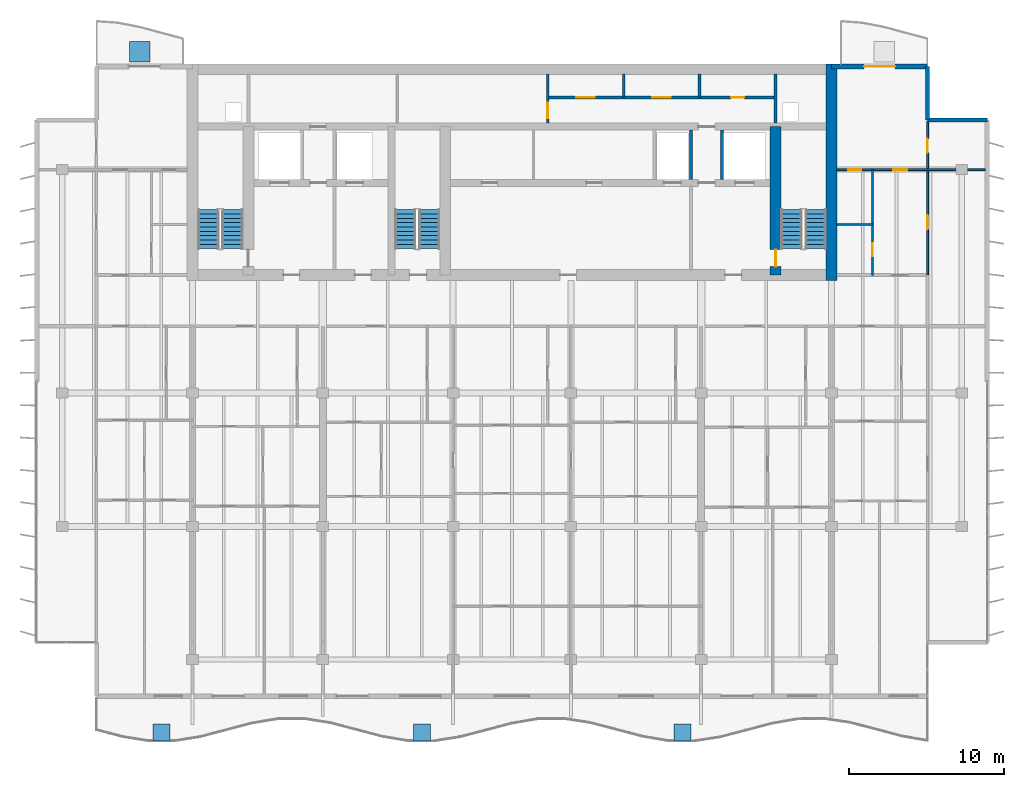
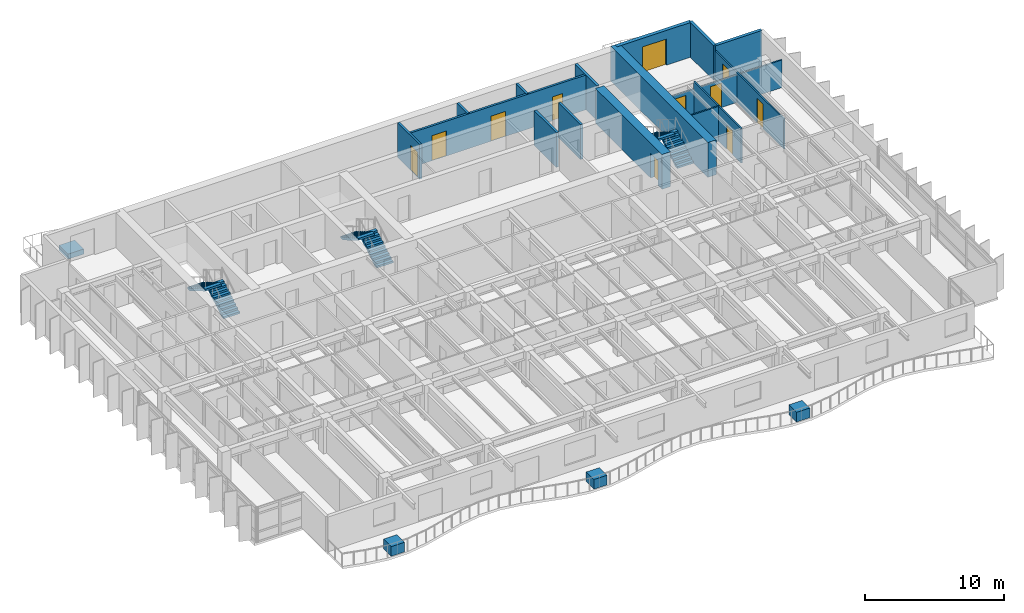
# One storey, part 11 of 17: 16 walls, 11 doors, 6 stair flights, 4 discrete accessories, 11 openings, 3 elements without a shape of their own.
"""IFC4 building model written with IfcOpenShell, lengths in metres."""

from ifc_helpers import new_model, si_unit, direction, frame, frame_2d, origin, origin_2d, place, context, subcontext, project, spatial, polyline, rectangle, outline, extrude, material, layer, layer_set, type_object, element, fill, aggregate, save


model = new_model("IFC4")

# Units and contexts
model_context = context("Model", 3, precision=1e-05, world=origin(), true_north=direction((0.0, 1.0)))
body_context = subcontext(model_context, "Body", "Model", "MODEL_VIEW")
ifc_project = project(units=[si_unit("LENGTHUNIT", "METRE"), si_unit("AREAUNIT", "SQUARE_METRE"), si_unit("VOLUMEUNIT", "CUBIC_METRE"), si_unit("PLANEANGLEUNIT", "RADIAN"), si_unit("MASSUNIT", "GRAM", prefix="KILO")], contexts=[model_context])

# Site, building, storey
site_placement = place(None, origin())
site = spatial("IfcSite", under=ifc_project, at=site_placement, CompositionType="ELEMENT")
building_placement = place(site_placement, origin())
building = spatial("IfcBuilding", under=site, at=building_placement, Name="Caelmar Bay Residences", CompositionType="ELEMENT")
storey_placement = place(building_placement, frame((0.0, 0.0, 246.300048828125)))
storey = spatial("IfcBuildingStorey", under=building, at=storey_placement, Name="L69", CompositionType="ELEMENT", Elevation=246.300048828125)

# Wall
ifc_material_1 = material(Name="Concrete f'c 55 MPa (8,000 psi)", Category="concrete")
ifc_layer_1 = layer(ifc_material_1, 0.699951171875)
ifc_layer_set_1 = layer_set([ifc_layer_1], Name="Concrete f'c 55 MPa (8,000 psi)")
wall_type_1 = type_object("IfcWallType", Name="SW-COR-700", PredefinedType="SHEAR", material=ifc_layer_set_1)
wall_1_placement = place(storey_placement, frame((59.5, 36.64990234375, 0.0), z_axis=(0.0, 0.0, 1.0), x_axis=(0.0, 1.0, 0.0)))
element("IfcWall", 1, at=wall_1_placement, inside=storey, type_object=wall_type_1, Name="L69 Rear Core East Shear Wall", PredefinedType="SHEAR", context=body_context, shape_type="SweptSolid", body=[
    extrude(rectangle(XDim=13.9501953125, YDim=0.699951171875, at=frame_2d((6.97509765625, 0.0))), origin(), (0.0, 0.0, 1.0), 3.050048828125),
])

# Wall, opening, door
wall_2_placement = place(storey_placement, frame((55.89990234375, 37.0, 0.0), z_axis=(0.0, 0.0, 1.0), x_axis=(0.0, 1.0, 0.0)))
wall_2 = element("IfcWall", 2, at=wall_2_placement, inside=storey, type_object=wall_type_1, Name="L69 Core Structural Web Wall ST2W", PredefinedType="SHEAR", context=body_context, shape_type="SweptSolid", body=[
    extrude(rectangle(XDim=9.574951171875, YDim=0.699951171875, at=frame_2d((4.78759765625, 0.0))), origin(), (0.0, 0.0, 1.0), 3.050048828125),
])
opening_1_placement = place(wall_2_placement, frame((0.550048828125, 0.0, 0.0)))
opening_1 = element("IfcOpeningElement", 3, at=opening_1_placement, cuts=wall_2, Name="Opening D-L69-110", PredefinedType="OPENING", context=body_context, shape_type="SweptSolid", body=[
    extrude(rectangle(XDim=1.10009765625, YDim=2.14990234375, at=frame_2d((0.550048828125, 1.074951171875))), frame((0.0, 0.35986328125, 0.0), z_axis=(0.0, -1.0, 0.0), x_axis=(1.0, 0.0, 0.0)), (0.0, 0.0, 1.0), 0.719970703125),
])
ifc_material_2 = material(Name="Fire-rated steel and walnut architectural door assembly", Category="steel")
ifc_layer_2 = layer(ifc_material_2, 0.050048828125)
ifc_layer_set_2 = layer_set([ifc_layer_2], Name="Fire-rated steel and walnut architectural door assembly")
door_type_1 = type_object("IfcDoorType", Name="D-STAIR-1100", OperationType="NOTDEFINED", PredefinedType="DOOR", material=ifc_layer_set_2)
door_1_placement = place(opening_1_placement, origin())
door_1 = element("IfcDoor", 4, at=door_1_placement, inside=storey, type_object=door_type_1, Name="L69 Firefighting Lobby East Door", OperationType="SINGLE_SWING_LEFT", OverallHeight=2.14990234375, OverallWidth=1.10009765625, PredefinedType="DOOR", context=body_context, shape_type="SweptSolid", body=[
    extrude(rectangle(XDim=1.10009765625, YDim=2.14990234375, at=frame_2d((0.550048828125, 1.074951171875))), frame((0.0, 0.02490234375, 0.0), z_axis=(0.0, -1.0, 0.0), x_axis=(1.0, 0.0, 0.0)), (0.0, 0.0, 1.0), 0.050048828125),
])
fill(opening_1, door_1)

ifc_material_3 = material(Name="Double-stud acoustic fire-rated gypsum partition 180 mm")
ifc_layer_3 = layer(ifc_material_3, 0.179931640625)
ifc_layer_set_3 = layer_set([ifc_layer_3], Name="Double-stud acoustic fire-rated gypsum partition 180 mm")
wall_type_2 = type_object("IfcWallType", Name="W-COR-200", PredefinedType="PARTITIONING", material=ifc_layer_set_3)
wall_3_placement = place(storey_placement, frame((41.199951171875, 46.794921875, 0.0), z_axis=(0.0, 0.0, 1.0), x_axis=(0.0, 1.0, 0.0)))
wall_3 = element("IfcWall", 5, at=wall_3_placement, inside=storey, type_object=wall_type_2, Name="L69 Partition Wall V047", PredefinedType="PARTITIONING", context=body_context, shape_type="SweptSolid", body=[
    extrude(rectangle(XDim=3.16015625, YDim=0.179931640625, at=frame_2d((1.580078125, 0.0))), origin(), (0.0, 0.0, 1.0), 3.050048828125),
])
opening_2_placement = place(wall_3_placement, frame((0.327392578125, 0.0, 0.0)))
opening_2 = element("IfcOpeningElement", 6, at=opening_2_placement, cuts=wall_3, Name="Opening D-L69-118", PredefinedType="OPENING", context=body_context, shape_type="SweptSolid", body=[
    extrude(rectangle(XDim=1.0, YDim=2.199951171875, at=frame_2d((0.5, 1.10009765625))), frame((0.0, 0.099853515625, 0.0), z_axis=(0.0, -1.0, 0.0), x_axis=(1.0, 0.0, 0.0)), (0.0, 0.0, 1.0), 0.199951171875),
])
ifc_layer_4 = layer(ifc_material_2, 0.050048828125)
ifc_layer_set_4 = layer_set([ifc_layer_4], Name="Fire-rated steel and walnut architectural door assembly")
door_type_2 = type_object("IfcDoorType", Name="D-UNIT-1000", OperationType="NOTDEFINED", PredefinedType="DOOR", material=ifc_layer_set_4)
door_2_placement = place(opening_2_placement, origin())
door_2 = element("IfcDoor", 7, at=door_2_placement, inside=storey, type_object=door_type_2, Name="L69 Engineering Control Office Door", OperationType="SINGLE_SWING_LEFT", OverallHeight=2.199951171875, OverallWidth=1.0, PredefinedType="DOOR", context=body_context, shape_type="SweptSolid", body=[
    extrude(rectangle(XDim=1.0, YDim=2.199951171875, at=frame_2d((0.5, 1.10009765625))), frame((0.0, 0.02490234375, 0.0), z_axis=(0.0, -1.0, 0.0), x_axis=(1.0, 0.0, 0.0)), (0.0, 0.0, 1.0), 0.050048828125),
])
fill(opening_2, door_2)

# Walls
for number, where, z_axis, x_axis, name in (
    (8, (46.10009765625, 48.449951171875, 0.0), (0.0, 0.0, 1.0), (0.0, 1.0, 0.0), "L69 Partition Wall V054"),
    (9, (51.0, 48.449951171875, 0.0), (0.0, 0.0, 1.0), (0.0, 1.0, 0.0), "L69 Partition Wall V059"),
):
    element("IfcWall", number, at=place(storey_placement, frame(where, z_axis=z_axis, x_axis=x_axis)), inside=storey, type_object=wall_type_2, Name=name, PredefinedType="PARTITIONING", context=body_context, shape_type="SweptSolid", body=[
        extrude(rectangle(XDim=1.505126953125, YDim=0.179931640625, at=frame_2d((0.75244140625, 0.0))), origin(), (0.0, 0.0, 1.0), 3.050048828125),
    ])

# Wall, openings, doors
wall_4_placement = place(storey_placement, frame((41.199951171875, 48.449951171875, 0.0), z_axis=(0.0, 0.0, 1.0), x_axis=(1.0, 0.0, 0.0)))
wall_4 = element("IfcWall", 10, at=wall_4_placement, inside=storey, type_object=wall_type_2, Name="L69 Partition Wall H122", PredefinedType="PARTITIONING", context=body_context, shape_type="SweptSolid", body=[
    extrude(rectangle(XDim=14.699951171875, YDim=0.179931640625, at=frame_2d((7.35009765625, 0.0))), origin(), (0.0, 0.0, 1.0), 3.050048828125),
])
opening_3_placement = place(wall_4_placement, frame((1.85009765625, 0.0, 0.0)))
opening_3 = element("IfcOpeningElement", 11, at=opening_3_placement, cuts=wall_4, Name="Opening D-L69-119", PredefinedType="OPENING", context=body_context, shape_type="SweptSolid", body=[
    extrude(rectangle(XDim=1.199951171875, YDim=2.199951171875, at=frame_2d((0.60009765625, 1.10009765625))), frame((0.0, 0.099853515625, 0.0), z_axis=(0.0, -1.0, 0.0), x_axis=(1.0, 0.0, 0.0)), (0.0, 0.0, 1.0), 0.199951171875),
])
opening_4_placement = place(wall_4_placement, frame((6.75, 0.0, 0.0)))
opening_4 = element("IfcOpeningElement", 12, at=opening_4_placement, cuts=wall_4, Name="Opening D-L69-120", PredefinedType="OPENING", context=body_context, shape_type="SweptSolid", body=[
    extrude(rectangle(XDim=1.199951171875, YDim=2.199951171875, at=frame_2d((0.60009765625, 1.10009765625))), frame((0.0, 0.099853515625, 0.0), z_axis=(0.0, -1.0, 0.0), x_axis=(1.0, 0.0, 0.0)), (0.0, 0.0, 1.0), 0.199951171875),
])
opening_5_placement = place(wall_4_placement, frame((11.824951171875, 0.0, 0.0)))
opening_5 = element("IfcOpeningElement", 13, at=opening_5_placement, cuts=wall_4, Name="Opening D-L69-121", PredefinedType="OPENING", context=body_context, shape_type="SweptSolid", body=[
    extrude(rectangle(XDim=0.85009765625, YDim=2.10009765625, at=frame_2d((0.425048828125, 1.050048828125))), frame((0.0, 0.099853515625, 0.0), z_axis=(0.0, -1.0, 0.0), x_axis=(1.0, 0.0, 0.0)), (0.0, 0.0, 1.0), 0.199951171875),
])
ifc_layer_5 = layer(ifc_material_2, 0.050048828125)
ifc_layer_set_5 = layer_set([ifc_layer_5], Name="Fire-rated steel and walnut architectural door assembly")
door_type_3 = type_object("IfcDoorType", Name="D-CORE-850", OperationType="NOTDEFINED", PredefinedType="DOOR", material=ifc_layer_set_5)
door_3_placement = place(opening_5_placement, origin())
door_3 = element("IfcDoor", 14, at=door_3_placement, inside=storey, type_object=door_type_3, Name="L69 Accessible Staff WC Door", OperationType="SINGLE_SWING_RIGHT", OverallHeight=2.10009765625, OverallWidth=0.85009765625, PredefinedType="DOOR", context=body_context, shape_type="SweptSolid", body=[
    extrude(rectangle(XDim=0.85009765625, YDim=2.10009765625, at=frame_2d((0.425048828125, 1.050048828125))), frame((0.0, 0.02490234375, 0.0), z_axis=(0.0, -1.0, 0.0), x_axis=(1.0, 0.0, 0.0)), (0.0, 0.0, 1.0), 0.050048828125),
])
fill(opening_5, door_3)
ifc_layer_6 = layer(ifc_material_2, 0.050048828125)
ifc_layer_set_6 = layer_set([ifc_layer_6], Name="Fire-rated steel and walnut architectural door assembly")
door_type_4 = type_object("IfcDoorType", Name="D-PLANT-1200", OperationType="NOTDEFINED", PredefinedType="DOOR", material=ifc_layer_set_6)
door_4_placement = place(opening_3_placement, origin())
door_4 = element("IfcDoor", 15, at=door_4_placement, inside=storey, type_object=door_type_4, Name="L69 Electrical Closet Door", OperationType="SINGLE_SWING_RIGHT", OverallHeight=2.199951171875, OverallWidth=1.199951171875, PredefinedType="DOOR", context=body_context, shape_type="SweptSolid", body=[
    extrude(rectangle(XDim=1.199951171875, YDim=2.199951171875, at=frame_2d((0.60009765625, 1.10009765625))), frame((0.0, 0.02490234375, 0.0), z_axis=(0.0, -1.0, 0.0), x_axis=(1.0, 0.0, 0.0)), (0.0, 0.0, 1.0), 0.050048828125),
])
fill(opening_3, door_4)
door_5_placement = place(opening_4_placement, origin())
door_5 = element("IfcDoor", 16, at=door_5_placement, inside=storey, type_object=door_type_4, Name="L69 Housekeeping Linen Closet Door", OperationType="SINGLE_SWING_LEFT", OverallHeight=2.199951171875, OverallWidth=1.199951171875, PredefinedType="DOOR", context=body_context, shape_type="SweptSolid", body=[
    extrude(rectangle(XDim=1.199951171875, YDim=2.199951171875, at=frame_2d((0.60009765625, 1.10009765625))), frame((0.0, 0.02490234375, 0.0), z_axis=(0.0, -1.0, 0.0), x_axis=(1.0, 0.0, 0.0)), (0.0, 0.0, 1.0), 0.050048828125),
])
fill(opening_4, door_5)

# Walls
ifc_material_4 = material(Name="Precast concrete f'c 40 MPa (6,000 psi)", Category="concrete")
ifc_layer_7 = layer(ifc_material_4, 0.25)
ifc_layer_set_7 = layer_set([ifc_layer_7], Name="Precast concrete f'c 40 MPa (6,000 psi)")
wall_type_3 = type_object("IfcWallType", Name="W-EXT-250", PredefinedType="ELEMENTEDWALL", material=ifc_layer_set_7)
wall_5_placement = place(storey_placement, frame((65.699951171875, 50.449951171875, 0.0), z_axis=(0.0, 0.0, 1.0), x_axis=(0.0, -1.0, 0.0)))
element("IfcWall", 17, at=wall_5_placement, inside=storey, type_object=wall_type_3, Name="L69 NNE-V Notch Wall", PredefinedType="ELEMENTEDWALL", context=body_context, shape_type="SweptSolid", body=[
    extrude(rectangle(XDim=3.449951171875, YDim=0.25, at=frame_2d((1.72509765625, 0.0))), origin(), (0.0, 0.0, 1.0), 3.050048828125),
])
wall_6_placement = place(storey_placement, frame((65.699951171875, 47.0, 0.0), z_axis=(0.0, 0.0, 1.0), x_axis=(1.0, 0.0, 0.0)))
element("IfcWall", 18, at=wall_6_placement, inside=storey, type_object=wall_type_3, Name="L69 NNE-H Notch Wall", PredefinedType="ELEMENTEDWALL", context=body_context, shape_type="SweptSolid", body=[
    extrude(rectangle(XDim=3.85009765625, YDim=0.25, at=frame_2d((1.925048828125, 0.0))), origin(), (0.0, 0.0, 1.0), 3.050048828125),
])

# Wall, opening, door
ifc_layer_8 = layer(ifc_material_4, 0.300048828125)
ifc_layer_set_8 = layer_set([ifc_layer_8], Name="Precast concrete f'c 40 MPa (6,000 psi)")
wall_type_4 = type_object("IfcWallType", Name="W-EXT-300", PredefinedType="STANDARD", material=ifc_layer_set_8)
wall_7_placement = place(storey_placement, frame((59.5, 50.449951171875, 0.0), z_axis=(0.0, 0.0, 1.0), x_axis=(1.0, 0.0, 0.0)))
wall_7 = element("IfcWall", 19, at=wall_7_placement, inside=storey, type_object=wall_type_4, Name="L69 North-East Wing Exterior Wall", PredefinedType="STANDARD", context=body_context, shape_type="SweptSolid", body=[
    extrude(rectangle(XDim=6.199951171875, YDim=0.300048828125, at=frame_2d((3.10009765625, 0.0))), origin(), (0.0, 0.0, 1.0), 3.050048828125),
])
opening_6_placement = place(wall_7_placement, frame((2.10009765625, 0.0, 0.0)))
opening_6 = element("IfcOpeningElement", 20, at=opening_6_placement, cuts=wall_7, Name="Opening L69-BDNE", PredefinedType="OPENING", context=body_context, shape_type="SweptSolid", body=[
    extrude(rectangle(XDim=2.0, YDim=2.300048828125, at=frame_2d((1.0, 1.14990234375))), frame((0.0, 0.159912109375, 0.0), z_axis=(0.0, -1.0, 0.0), x_axis=(1.0, 0.0, 0.0)), (0.0, 0.0, 1.0), 0.320068359375),
])
ifc_material_5 = material(Name="Anodised bronze thermally broken sliding glass door", Category="glass")
ifc_layer_9 = layer(ifc_material_5, 0.050048828125)
ifc_layer_set_9 = layer_set([ifc_layer_9], Name="Anodised bronze thermally broken sliding glass door")
door_type_5 = type_object("IfcDoorType", Name="D-BAL-2000", OperationType="DOUBLE_DOOR_SLIDING", PredefinedType="DOOR", material=ifc_layer_set_9)
door_6_placement = place(opening_6_placement, origin())
door_6 = element("IfcDoor", 21, at=door_6_placement, inside=storey, type_object=door_type_5, Name="L69 North-East Balcony Door", OperationType="DOUBLE_DOOR_SLIDING", OverallHeight=2.300048828125, OverallWidth=2.0, PredefinedType="DOOR", context=body_context, shape_type="SweptSolid", body=[
    extrude(rectangle(XDim=2.0, YDim=2.300048828125, at=frame_2d((1.0, 1.14990234375))), frame((0.0, 0.02490234375, 0.0), z_axis=(0.0, -1.0, 0.0), x_axis=(1.0, 0.0, 0.0)), (0.0, 0.0, 1.0), 0.050048828125),
])
fill(opening_6, door_6)

# Walls
ifc_material_6 = material(Name="Fire-rated masonry and gypsum shaftliner assembly 200 mm", Category="masonry")
ifc_layer_10 = layer(ifc_material_6, 0.199951171875)
ifc_layer_set_10 = layer_set([ifc_layer_10], Name="Fire-rated masonry and gypsum shaftliner assembly 200 mm")
wall_type_5 = type_object("IfcWallType", Name="W-FSAE-200", PredefinedType="PARTITIONING", material=ifc_layer_set_10)
for number, where, z_axis, x_axis, name in (
    (22, (50.449951171875, 43.169921875, 0.0), (0.0, 0.0, 1.0), (0.0, 1.0, 0.0), "L69 Partition Wall V058"),
    (23, (52.449951171875, 43.169921875, 0.0), (0.0, 0.0, 1.0), (0.0, 1.0, 0.0), "L69 Partition Wall V063"),
):
    element("IfcWall", number, at=place(storey_placement, frame(where, z_axis=z_axis, x_axis=x_axis)), inside=storey, type_object=wall_type_5, Name=name, PredefinedType="PARTITIONING", context=body_context, shape_type="SweptSolid", body=[
        extrude(rectangle(XDim=3.18505859375, YDim=0.199951171875, at=frame_2d((1.592529296875, 0.0))), origin(), (0.0, 0.0, 1.0), 3.050048828125),
    ])
wall_8_placement = place(storey_placement, frame((55.89990234375, 46.794921875, 0.0), z_axis=(0.0, 0.0, 1.0), x_axis=(0.0, 1.0, 0.0)))
element("IfcWall", 24, at=wall_8_placement, inside=storey, type_object=wall_type_5, Name="L69 Partition Wall V068", PredefinedType="PARTITIONING", context=body_context, shape_type="SweptSolid", body=[
    extrude(rectangle(XDim=3.16015625, YDim=0.199951171875, at=frame_2d((1.580078125, 0.0))), origin(), (0.0, 0.0, 1.0), 3.050048828125),
])

# Wall, opening, door
ifc_material_7 = material(Name="Acoustic metal-stud gypsum partition 120 mm")
ifc_layer_11 = layer(ifc_material_7, 0.1201171875)
ifc_layer_set_11 = layer_set([ifc_layer_11], Name="Acoustic metal-stud gypsum partition 120 mm")
wall_type_6 = type_object("IfcWallType", Name="W-PRT-120", PredefinedType="PARTITIONING", material=ifc_layer_set_11)
wall_9_placement = place(storey_placement, frame((62.14990234375, 37.0, 0.0), z_axis=(0.0, 0.0, 1.0), x_axis=(0.0, 1.0, 0.0)))
wall_9 = element("IfcWall", 25, at=wall_9_placement, inside=storey, type_object=wall_type_6, Name="L69 Partition Wall V077", PredefinedType="PARTITIONING", context=body_context, shape_type="SweptSolid", body=[
    extrude(rectangle(XDim=6.800048828125, YDim=0.1201171875, at=frame_2d((3.39990234375, 0.0))), origin(), (0.0, 0.0, 1.0), 3.050048828125),
])
opening_7_placement = place(wall_9_placement, frame((1.20703125, 0.0, 0.0)))
opening_7 = element("IfcOpeningElement", 26, at=opening_7_placement, cuts=wall_9, Name="Opening D-L69-170", PredefinedType="OPENING", context=body_context, shape_type="SweptSolid", body=[
    extrude(rectangle(XDim=0.85009765625, YDim=2.10009765625, at=frame_2d((0.425048828125, 1.050048828125))), frame((0.0, 0.070068359375, 0.0), z_axis=(0.0, -1.0, 0.0), x_axis=(1.0, 0.0, 0.0)), (0.0, 0.0, 1.0), 0.14013671875),
])
ifc_material_8 = material(Name="Solid walnut timber interior door leaf and frame", Category="wood")
ifc_layer_12 = layer(ifc_material_8, 0.050048828125)
ifc_layer_set_12 = layer_set([ifc_layer_12], Name="Solid walnut timber interior door leaf and frame")
door_type_6 = type_object("IfcDoorType", Name="D-BATH-850", OperationType="NOTDEFINED", PredefinedType="DOOR", material=ifc_layer_set_12)
door_7_placement = place(opening_7_placement, origin())
door_7 = element("IfcDoor", 27, at=door_7_placement, inside=storey, type_object=door_type_6, Name="L69 Residence EA Walk-In Closet Door", OperationType="SINGLE_SWING_LEFT", OverallHeight=2.10009765625, OverallWidth=0.85009765625, PredefinedType="DOOR", context=body_context, shape_type="SweptSolid", body=[
    extrude(rectangle(XDim=0.85009765625, YDim=2.10009765625, at=frame_2d((0.425048828125, 1.050048828125))), frame((0.0, 0.02490234375, 0.0), z_axis=(0.0, -1.0, 0.0), x_axis=(1.0, 0.0, 0.0)), (0.0, 0.0, 1.0), 0.050048828125),
])
fill(opening_7, door_7)

# Wall, openings, doors
wall_10_placement = place(storey_placement, frame((65.699951171875, 37.0048828125, 0.0), z_axis=(0.0, 0.0, 1.0), x_axis=(0.0, 1.0, 0.0)))
wall_10 = element("IfcWall", 28, at=wall_10_placement, inside=storey, type_object=wall_type_6, Name="L69 Partition Wall V088", PredefinedType="PARTITIONING", context=body_context, shape_type="SweptSolid", body=[
    extrude(rectangle(XDim=9.875, YDim=0.1201171875, at=frame_2d((4.9375, 0.0))), origin(), (0.0, 0.0, 1.0), 2.62890625),
])
opening_8_placement = place(wall_10_placement, frame((2.947509765625, 0.0, 0.0)))
opening_8 = element("IfcOpeningElement", 29, at=opening_8_placement, cuts=wall_10, Name="Opening D-L69-172", PredefinedType="OPENING", context=body_context, shape_type="SweptSolid", body=[
    extrude(rectangle(XDim=0.89990234375, YDim=2.14990234375, at=frame_2d((0.449951171875, 1.074951171875))), frame((0.0, 0.070068359375, 0.0), z_axis=(0.0, -1.0, 0.0), x_axis=(1.0, 0.0, 0.0)), (0.0, 0.0, 1.0), 0.14013671875),
])
opening_9_placement = place(wall_10_placement, frame((7.885009765625, 0.0, 0.0)))
opening_9 = element("IfcOpeningElement", 30, at=opening_9_placement, cuts=wall_10, Name="Opening D-L69-173", PredefinedType="OPENING", context=body_context, shape_type="SweptSolid", body=[
    extrude(rectangle(XDim=0.89990234375, YDim=2.14990234375, at=frame_2d((0.449951171875, 1.074951171875))), frame((0.0, 0.070068359375, 0.0), z_axis=(0.0, -1.0, 0.0), x_axis=(1.0, 0.0, 0.0)), (0.0, 0.0, 1.0), 0.14013671875),
])
ifc_layer_13 = layer(ifc_material_8, 0.050048828125)
ifc_layer_set_13 = layer_set([ifc_layer_13], Name="Solid walnut timber interior door leaf and frame")
door_type_7 = type_object("IfcDoorType", Name="D-ROOM-900", OperationType="NOTDEFINED", PredefinedType="DOOR", material=ifc_layer_set_13)
door_8_placement = place(opening_8_placement, origin())
door_8 = element("IfcDoor", 31, at=door_8_placement, inside=storey, type_object=door_type_7, Name="L69 Residence EA Sun Study Door", OperationType="SINGLE_SWING_LEFT", OverallHeight=2.14990234375, OverallWidth=0.89990234375, PredefinedType="DOOR", context=body_context, shape_type="SweptSolid", body=[
    extrude(rectangle(XDim=0.89990234375, YDim=2.14990234375, at=frame_2d((0.449951171875, 1.074951171875))), frame((0.0, 0.02490234375, 0.0), z_axis=(0.0, -1.0, 0.0), x_axis=(1.0, 0.0, 0.0)), (0.0, 0.0, 1.0), 0.050048828125),
])
fill(opening_8, door_8)
door_9_placement = place(opening_9_placement, origin())
door_9 = element("IfcDoor", 32, at=door_9_placement, inside=storey, type_object=door_type_7, Name="L69 Residence EA North Sitting Alcove Door", OperationType="SINGLE_SWING_RIGHT", OverallHeight=2.14990234375, OverallWidth=0.89990234375, PredefinedType="DOOR", context=body_context, shape_type="SweptSolid", body=[
    extrude(rectangle(XDim=0.89990234375, YDim=2.14990234375, at=frame_2d((0.449951171875, 1.074951171875))), frame((0.0, 0.02490234375, 0.0), z_axis=(0.0, -1.0, 0.0), x_axis=(1.0, 0.0, 0.0)), (0.0, 0.0, 1.0), 0.050048828125),
])
fill(opening_9, door_9)

# Wall
wall_11_placement = place(storey_placement, frame((59.844970703125, 40.263916015625, 0.0), z_axis=(0.0, 0.0, 1.0), x_axis=(1.0, 0.0, 0.0)))
element("IfcWall", 33, at=wall_11_placement, inside=storey, type_object=wall_type_6, Name="L69 Partition Wall H118", PredefinedType="PARTITIONING", context=body_context, shape_type="SweptSolid", body=[
    extrude(rectangle(XDim=2.304931640625, YDim=0.1201171875, at=frame_2d((1.15234375, 0.0))), origin(), (0.0, 0.0, 1.0), 3.050048828125),
])

# Wall, openings, doors
wall_12_placement = place(storey_placement, frame((59.844970703125, 43.800048828125, 0.0), z_axis=(0.0, 0.0, 1.0), x_axis=(1.0, 0.0, 0.0)))
wall_12 = element("IfcWall", 34, at=wall_12_placement, inside=storey, type_object=wall_type_6, Name="L69 Partition Wall H121", PredefinedType="PARTITIONING", context=body_context, shape_type="SweptSolid", body=[
    extrude(rectangle(XDim=9.56005859375, YDim=0.1201171875, at=frame_2d((4.780029296875, 0.0))), origin(), (0.0, 0.0, 1.0), 2.41796875),
])
opening_10_placement = place(wall_12_placement, frame((3.6298828125, 0.0, 0.0)))
opening_10 = element("IfcOpeningElement", 35, at=opening_10_placement, cuts=wall_12, Name="Opening D-L69-169", PredefinedType="OPENING", context=body_context, shape_type="SweptSolid", body=[
    extrude(rectangle(XDim=0.89990234375, YDim=2.14990234375, at=frame_2d((0.449951171875, 1.074951171875))), frame((0.0, 0.070068359375, 0.0), z_axis=(0.0, -1.0, 0.0), x_axis=(1.0, 0.0, 0.0)), (0.0, 0.0, 1.0), 0.14013671875),
])
opening_11_placement = place(wall_12_placement, frame((0.7275390625, 0.0, 0.0)))
opening_11 = element("IfcOpeningElement", 36, at=opening_11_placement, cuts=wall_12, Name="Opening D-L69-171", PredefinedType="OPENING", context=body_context, shape_type="SweptSolid", body=[
    extrude(rectangle(XDim=0.85009765625, YDim=2.10009765625, at=frame_2d((0.425048828125, 1.050048828125))), frame((0.0, 0.070068359375, 0.0), z_axis=(0.0, -1.0, 0.0), x_axis=(1.0, 0.0, 0.0)), (0.0, 0.0, 1.0), 0.14013671875),
])
door_10_placement = place(opening_11_placement, origin())
door_10 = element("IfcDoor", 37, at=door_10_placement, inside=storey, type_object=door_type_6, Name="L69 Residence EA Bathroom Door", OperationType="SINGLE_SWING_RIGHT", OverallHeight=2.10009765625, OverallWidth=0.85009765625, PredefinedType="DOOR", context=body_context, shape_type="SweptSolid", body=[
    extrude(rectangle(XDim=0.85009765625, YDim=2.10009765625, at=frame_2d((0.425048828125, 1.050048828125))), frame((0.0, 0.02490234375, 0.0), z_axis=(0.0, -1.0, 0.0), x_axis=(1.0, 0.0, 0.0)), (0.0, 0.0, 1.0), 0.050048828125),
])
fill(opening_11, door_10)
door_11_placement = place(opening_10_placement, origin())
door_11 = element("IfcDoor", 38, at=door_11_placement, inside=storey, type_object=door_type_7, Name="L69 Residence EA Studio Living and Sleeping Room Door", OperationType="SINGLE_SWING_RIGHT", OverallHeight=2.14990234375, OverallWidth=0.89990234375, PredefinedType="DOOR", context=body_context, shape_type="SweptSolid", body=[
    extrude(rectangle(XDim=0.89990234375, YDim=2.14990234375, at=frame_2d((0.449951171875, 1.074951171875))), frame((0.0, 0.02490234375, 0.0), z_axis=(0.0, -1.0, 0.0), x_axis=(1.0, 0.0, 0.0)), (0.0, 0.0, 1.0), 0.050048828125),
])
fill(opening_10, door_11)

# Stair, stair flights
ifc_material_9 = material(Name="Concrete f'c 40 MPa (6,000 psi)", Category="concrete")
stair_type = type_object("IfcStairType", Name="ST-TYP-165", PredefinedType="HALF_TURN_STAIR", material=ifc_material_9)
stair_1_placement = place(storey_placement, origin())
stair_1 = element("IfcStair", 39, at=stair_1_placement, inside=storey, type_object=stair_type, Name="L69 West Smokeproof Exit Stair ST1", PredefinedType="HALF_TURN_STAIR")
stair_flight_type = type_object("IfcStairFlightType", Name="STF-1350", PredefinedType="STRAIGHT", material=ifc_material_9)
stair_flight_1_placement = place(storey_placement, frame((20.875, 38.699951171875, 0.0), z_axis=(0.0, 0.0, 1.0), x_axis=(0.0, 1.0, 0.0)))
stair_flight_1 = element("IfcStairFlight", 40, at=stair_flight_1_placement, type_object=stair_flight_type, Name="ST1 flight 1", NumberOfRisers=10, NumberOfTreads=9, PredefinedType="STRAIGHT", RiserHeight=0.165, TreadLength=0.28, context=body_context, shape_type="SweptSolid", body=[
    extrude(outline(polyline([(0.0, 0.0), (0.0, 0.1650390625), (0.280029296875, 0.1650390625), (0.280029296875, 0.330078125), (0.56005859375, 0.330078125), (0.56005859375, 0.4951171875), (0.840087890625, 0.4951171875), (0.840087890625, 0.659912109375), (1.1201171875, 0.659912109375), (1.1201171875, 0.824951171875), (1.39990234375, 0.824951171875), (1.39990234375, 0.989990234375), (1.679931640625, 0.989990234375), (1.679931640625, 1.155029296875), (1.9599609375, 1.155029296875), (1.9599609375, 1.320068359375), (2.239990234375, 1.320068359375), (2.239990234375, 1.485107421875), (2.52001953125, 1.485107421875), (2.52001953125, 1.64990234375), (2.52001953125, 1.31103515625), (0.295166015625, 0.0), (0.0, 0.0)])), frame((0.0, 0.675048828125, 0.0), z_axis=(0.0, -1.0, 0.0), x_axis=(1.0, 0.0, 0.0)), (0.0, 0.0, 1.0), 1.35009765625),
])
stair_flight_2_placement = place(storey_placement, frame((19.324951171875, 41.219970703125, 1.64990234375), z_axis=(0.0, 0.0, 1.0), x_axis=(0.0, -1.0, 0.0)))
stair_flight_2 = element("IfcStairFlight", 41, at=stair_flight_2_placement, type_object=stair_flight_type, Name="ST1 flight 2", NumberOfRisers=10, NumberOfTreads=9, PredefinedType="STRAIGHT", RiserHeight=0.165, TreadLength=0.28, context=body_context, shape_type="SweptSolid", body=[
    extrude(outline(polyline([(0.0, 0.0), (0.0, 0.1650390625), (0.280029296875, 0.1650390625), (0.280029296875, 0.330078125), (0.56005859375, 0.330078125), (0.56005859375, 0.4951171875), (0.840087890625, 0.4951171875), (0.840087890625, 0.659912109375), (1.1201171875, 0.659912109375), (1.1201171875, 0.824951171875), (1.39990234375, 0.824951171875), (1.39990234375, 0.989990234375), (1.679931640625, 0.989990234375), (1.679931640625, 1.155029296875), (1.9599609375, 1.155029296875), (1.9599609375, 1.320068359375), (2.239990234375, 1.320068359375), (2.239990234375, 1.485107421875), (2.52001953125, 1.485107421875), (2.52001953125, 1.64990234375), (2.52001953125, 1.31103515625), (0.295166015625, 0.0), (0.0, 0.0)])), frame((0.0, 0.675048828125, 0.0), z_axis=(0.0, -1.0, 0.0), x_axis=(1.0, 0.0, 0.0)), (0.0, 0.0, 1.0), 1.35009765625),
])
aggregate(stair_1, [stair_flight_1, stair_flight_2])

stair_2_placement = place(storey_placement, origin())
stair_2 = element("IfcStair", 42, at=stair_2_placement, inside=storey, type_object=stair_type, Name="L69 East Smokeproof Exit Stair ST2", PredefinedType="HALF_TURN_STAIR")
stair_flight_3_placement = place(storey_placement, frame((58.47509765625, 38.699951171875, 0.0), z_axis=(0.0, 0.0, 1.0), x_axis=(0.0, 1.0, 0.0)))
stair_flight_3 = element("IfcStairFlight", 43, at=stair_flight_3_placement, type_object=stair_flight_type, Name="ST2 flight 1", NumberOfRisers=10, NumberOfTreads=9, PredefinedType="STRAIGHT", RiserHeight=0.165, TreadLength=0.28, context=body_context, shape_type="SweptSolid", body=[
    extrude(outline(polyline([(0.0, 0.0), (0.0, 0.1650390625), (0.280029296875, 0.1650390625), (0.280029296875, 0.330078125), (0.56005859375, 0.330078125), (0.56005859375, 0.4951171875), (0.840087890625, 0.4951171875), (0.840087890625, 0.659912109375), (1.1201171875, 0.659912109375), (1.1201171875, 0.824951171875), (1.39990234375, 0.824951171875), (1.39990234375, 0.989990234375), (1.679931640625, 0.989990234375), (1.679931640625, 1.155029296875), (1.9599609375, 1.155029296875), (1.9599609375, 1.320068359375), (2.239990234375, 1.320068359375), (2.239990234375, 1.485107421875), (2.52001953125, 1.485107421875), (2.52001953125, 1.64990234375), (2.52001953125, 1.31103515625), (0.295166015625, 0.0), (0.0, 0.0)])), frame((0.0, 0.675048828125, 0.0), z_axis=(0.0, -1.0, 0.0), x_axis=(1.0, 0.0, 0.0)), (0.0, 0.0, 1.0), 1.35009765625),
])
stair_flight_4_placement = place(storey_placement, frame((56.925048828125, 41.219970703125, 1.64990234375), z_axis=(0.0, 0.0, 1.0), x_axis=(0.0, -1.0, 0.0)))
stair_flight_4 = element("IfcStairFlight", 44, at=stair_flight_4_placement, type_object=stair_flight_type, Name="ST2 flight 2", NumberOfRisers=10, NumberOfTreads=9, PredefinedType="STRAIGHT", RiserHeight=0.165, TreadLength=0.28, context=body_context, shape_type="SweptSolid", body=[
    extrude(outline(polyline([(0.0, 0.0), (0.0, 0.1650390625), (0.280029296875, 0.1650390625), (0.280029296875, 0.330078125), (0.56005859375, 0.330078125), (0.56005859375, 0.4951171875), (0.840087890625, 0.4951171875), (0.840087890625, 0.659912109375), (1.1201171875, 0.659912109375), (1.1201171875, 0.824951171875), (1.39990234375, 0.824951171875), (1.39990234375, 0.989990234375), (1.679931640625, 0.989990234375), (1.679931640625, 1.155029296875), (1.9599609375, 1.155029296875), (1.9599609375, 1.320068359375), (2.239990234375, 1.320068359375), (2.239990234375, 1.485107421875), (2.52001953125, 1.485107421875), (2.52001953125, 1.64990234375), (2.52001953125, 1.31103515625), (0.295166015625, 0.0), (0.0, 0.0)])), frame((0.0, 0.675048828125, 0.0), z_axis=(0.0, -1.0, 0.0), x_axis=(1.0, 0.0, 0.0)), (0.0, 0.0, 1.0), 1.35009765625),
])
aggregate(stair_2, [stair_flight_3, stair_flight_4])

stair_3_placement = place(storey_placement, origin())
stair_3 = element("IfcStair", 45, at=stair_3_placement, inside=storey, type_object=stair_type, Name="L69 Central Smokeproof Exit Stair ST3", PredefinedType="HALF_TURN_STAIR")
stair_flight_5_placement = place(storey_placement, frame((33.574951171875, 38.699951171875, 0.0), z_axis=(0.0, 0.0, 1.0), x_axis=(0.0, 1.0, 0.0)))
stair_flight_5 = element("IfcStairFlight", 46, at=stair_flight_5_placement, type_object=stair_flight_type, Name="ST3 flight 1", NumberOfRisers=10, NumberOfTreads=9, PredefinedType="STRAIGHT", RiserHeight=0.165, TreadLength=0.28, context=body_context, shape_type="SweptSolid", body=[
    extrude(outline(polyline([(0.0, 0.0), (0.0, 0.1650390625), (0.280029296875, 0.1650390625), (0.280029296875, 0.330078125), (0.56005859375, 0.330078125), (0.56005859375, 0.4951171875), (0.840087890625, 0.4951171875), (0.840087890625, 0.659912109375), (1.1201171875, 0.659912109375), (1.1201171875, 0.824951171875), (1.39990234375, 0.824951171875), (1.39990234375, 0.989990234375), (1.679931640625, 0.989990234375), (1.679931640625, 1.155029296875), (1.9599609375, 1.155029296875), (1.9599609375, 1.320068359375), (2.239990234375, 1.320068359375), (2.239990234375, 1.485107421875), (2.52001953125, 1.485107421875), (2.52001953125, 1.64990234375), (2.52001953125, 1.31103515625), (0.295166015625, 0.0), (0.0, 0.0)])), frame((0.0, 0.675048828125, 0.0), z_axis=(0.0, -1.0, 0.0), x_axis=(1.0, 0.0, 0.0)), (0.0, 0.0, 1.0), 1.35009765625),
])
stair_flight_6_placement = place(storey_placement, frame((32.02490234375, 41.219970703125, 1.64990234375), z_axis=(0.0, 0.0, 1.0), x_axis=(0.0, -1.0, 0.0)))
stair_flight_6 = element("IfcStairFlight", 47, at=stair_flight_6_placement, type_object=stair_flight_type, Name="ST3 flight 2", NumberOfRisers=10, NumberOfTreads=9, PredefinedType="STRAIGHT", RiserHeight=0.165, TreadLength=0.28, context=body_context, shape_type="SweptSolid", body=[
    extrude(outline(polyline([(0.0, 0.0), (0.0, 0.1650390625), (0.280029296875, 0.1650390625), (0.280029296875, 0.330078125), (0.56005859375, 0.330078125), (0.56005859375, 0.4951171875), (0.840087890625, 0.4951171875), (0.840087890625, 0.659912109375), (1.1201171875, 0.659912109375), (1.1201171875, 0.824951171875), (1.39990234375, 0.824951171875), (1.39990234375, 0.989990234375), (1.679931640625, 0.989990234375), (1.679931640625, 1.155029296875), (1.9599609375, 1.155029296875), (1.9599609375, 1.320068359375), (2.239990234375, 1.320068359375), (2.239990234375, 1.485107421875), (2.52001953125, 1.485107421875), (2.52001953125, 1.64990234375), (2.52001953125, 1.31103515625), (0.295166015625, 0.0), (0.0, 0.0)])), frame((0.0, 0.675048828125, 0.0), z_axis=(0.0, -1.0, 0.0), x_axis=(1.0, 0.0, 0.0)), (0.0, 0.0, 1.0), 1.35009765625),
])
aggregate(stair_3, [stair_flight_5, stair_flight_6])

# Discrete accessories
ifc_material_10 = material(Name="Architectural bronze GRC planter trough with volcanic-lapilli substrate")
discrete_accessory_type_1 = type_object("IfcDiscreteAccessoryType", Name="ACC-PLANTER-1100", PredefinedType="USERDEFINED", material=ifc_material_10)
for number, where, z_axis, x_axis, name in (
    (48, (16.300048828125, 7.5, 0.0), (0.0, 0.0, 1.0), (1.0, 0.0, 0.0), "L69 Balcony Structural Tree Planter 1"),
    (49, (33.10009765625, 7.5, 0.0), (0.0, 0.0, 1.0), (1.0, 0.0, 0.0), "L69 Balcony Structural Tree Planter 2"),
    (50, (49.89990234375, 7.5, 0.0), (0.0, 0.0, 1.0), (1.0, 0.0, 0.0), "L69 Balcony Structural Tree Planter 3"),
):
    element("IfcDiscreteAccessory", number, at=place(storey_placement, frame(where, z_axis=z_axis, x_axis=x_axis)), inside=storey, type_object=discrete_accessory_type_1, Name=name, ObjectType="PLANTER", PredefinedType="USERDEFINED", context=body_context, shape_type="SweptSolid", body=[
        extrude(rectangle(XDim=1.10009765625, YDim=1.10009765625, at=origin_2d()), origin(), (0.0, 0.0, 1.0), 0.85009765625),
    ])
discrete_accessory_type_2 = type_object("IfcDiscreteAccessoryType", Name="STR-PLANTER-KERB-450", PredefinedType="USERDEFINED", material=ifc_material_4)
discrete_accessory_placement = place(storey_placement, frame((14.89990234375, 51.39990234375, 0.0), z_axis=(0.0, 0.0, 1.0), x_axis=(1.0, 0.0, 0.0)))
element("IfcDiscreteAccessory", 51, at=discrete_accessory_placement, inside=storey, type_object=discrete_accessory_type_2, Name="L69 north_west Structural Tree Planter Kerb", ObjectType="PLANTER", PredefinedType="USERDEFINED", context=body_context, shape_type="SweptSolid", body=[
    extrude(rectangle(XDim=1.300048828125, YDim=1.300048828125, at=origin_2d()), origin(), (0.0, 0.0, 1.0), 0.449951171875),
])

save(model, "model.ifc")
